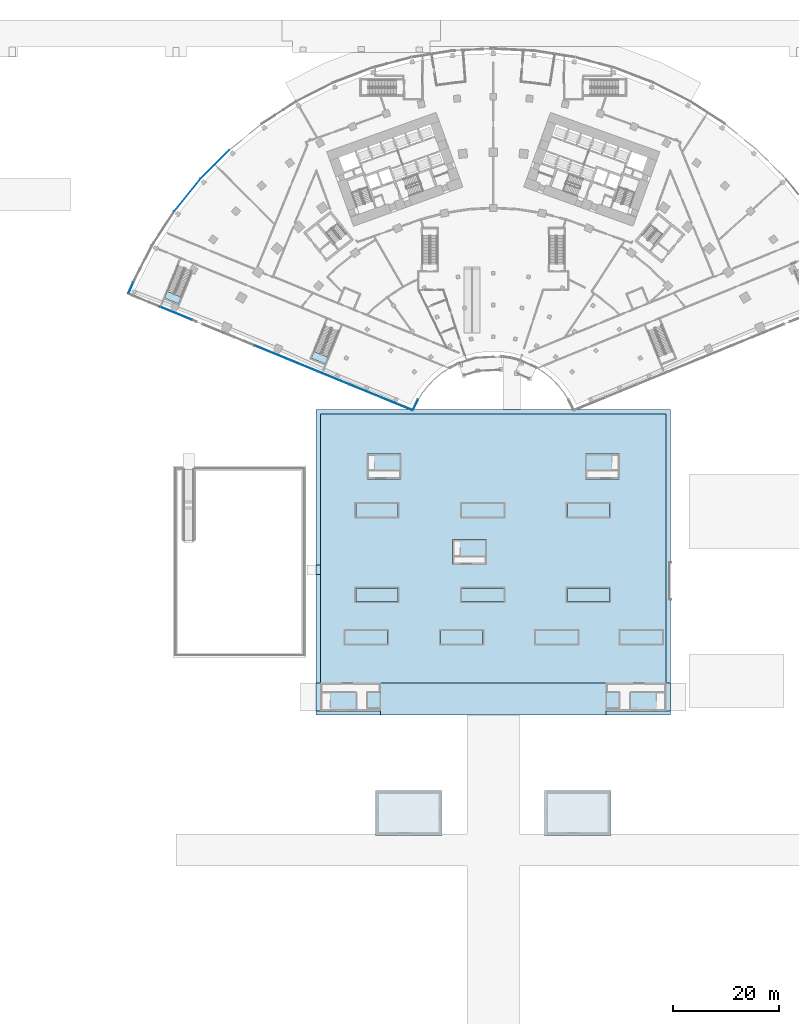
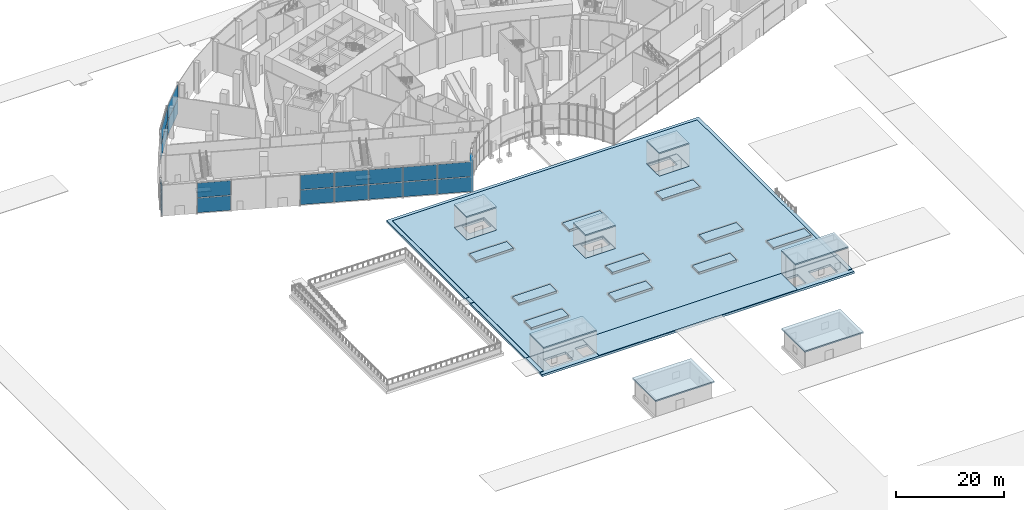
# One storey, part 19 of 60: 25 slabs, 20 plates, 5 elements without a shape of their own.
"""IFC4 building model written with IfcOpenShell, lengths in metres."""

from ifc_helpers import new_model, si_unit, direction, frame, origin, origin_2d, place, context, subcontext, project, spatial, polyline, rectangle, outline, extrude, material, layer, layer_set, type_object, element, aggregate, save


model = new_model("IFC4")

# Units and contexts
model_context = context("Model", 3, precision=1e-05, world=origin(), true_north=direction((0.0, 1.0)))
body_context = subcontext(model_context, "Body", "Model", "MODEL_VIEW")
ifc_project = project(units=[si_unit("LENGTHUNIT", "METRE"), si_unit("AREAUNIT", "SQUARE_METRE"), si_unit("VOLUMEUNIT", "CUBIC_METRE"), si_unit("PLANEANGLEUNIT", "RADIAN"), si_unit("MASSUNIT", "GRAM", prefix="KILO")], contexts=[model_context])

# Site, building, storey
site_placement = place(None, origin())
site = spatial("IfcSite", under=ifc_project, at=site_placement, CompositionType="ELEMENT")
building_placement = place(site_placement, origin())
building = spatial("IfcBuilding", under=site, at=building_placement, Name="Stone Belt Terrace Tower", CompositionType="ELEMENT")
storey_placement = place(building_placement, origin())
storey = spatial("IfcBuildingStorey", under=building, at=storey_placement, Name="L00", CompositionType="ELEMENT", Elevation=0.0)

# Curtain wall, plates
ifc_material_1 = material(Name="Aluminium 6063-T6 anodised frame", Category="aluminium")
ifc_layer_1 = layer(ifc_material_1, 0.14990234375)
ifc_layer_set_1 = layer_set([ifc_layer_1], Name="CW-D podium shopfront")
curtain_wall_type = type_object("IfcCurtainWallType", Name="CW-D podium shopfront", PredefinedType="NOTDEFINED", material=ifc_layer_set_1)
curtain_wall_1_placement = place(storey_placement, origin())
curtain_wall_1 = element("IfcCurtainWall", 1, at=curtain_wall_1_placement, inside=storey, type_object=curtain_wall_type, Name="CW-D concave face L00", PredefinedType="NOTDEFINED")
ifc_material_2 = material(Name="Clear double glazed unit")
ifc_layer_2 = layer(ifc_material_2, 0.031982421875)
ifc_layer_set_2 = layer_set([ifc_layer_2], Name="CW-D glass panel 32")
plate_type = type_object("IfcPlateType", Name="CW-D glass panel 32", PredefinedType="CURTAIN_PANEL", material=ifc_layer_set_2)
plate_1_placement = place(storey_placement, frame((-14.718994140625, 7.20458984375, 0.139892578125), z_axis=(0.0, 0.0, 1.0), x_axis=(0.440619322366, 0.897694052981, 0.0)))
plate_1 = element("IfcPlate", 2, at=plate_1_placement, type_object=plate_type, Name="CW-D panel 1.1", PredefinedType="CURTAIN_PANEL", context=body_context, shape_type="SweptSolid", body=[
    extrude(rectangle(XDim=2.177734375, YDim=0.031982421875, at=origin_2d()), origin(), (0.0, 0.0, 1.0), 3.2900390625),
])
plate_2_placement = place(storey_placement, frame((-14.718994140625, 7.20458984375, 3.570068359375), z_axis=(0.0, 0.0, 1.0), x_axis=(0.440619322366, 0.897694052981, 0.0)))
plate_2 = element("IfcPlate", 3, at=plate_2_placement, type_object=plate_type, Name="CW-D panel 1.2", PredefinedType="CURTAIN_PANEL", context=body_context, shape_type="SweptSolid", body=[
    extrude(rectangle(XDim=2.177734375, YDim=0.031982421875, at=origin_2d()), origin(), (0.0, 0.0, 1.0), 3.2900390625),
])
aggregate(curtain_wall_1, [plate_1, plate_2])

curtain_wall_2_placement = place(storey_placement, origin())
curtain_wall_2 = element("IfcCurtainWall", 4, at=curtain_wall_2_placement, inside=storey, type_object=curtain_wall_type, Name="CW-D convex face L00", PredefinedType="NOTDEFINED")
plate_3_placement = place(storey_placement, frame((-52.660400390625, 52.660400390625, 0.139892578125), z_axis=(0.0, 0.0, 1.0), x_axis=(-0.707106781187, -0.707106781187, 0.0)))
plate_3 = element("IfcPlate", 5, at=plate_3_placement, type_object=plate_type, Name="CW-D panel 20.1", PredefinedType="CURTAIN_PANEL", context=body_context, shape_type="SweptSolid", body=[
    extrude(rectangle(XDim=7.738037109375, YDim=0.031982421875, at=origin_2d()), origin(), (0.0, 0.0, 1.0), 3.2900390625),
])
plate_4_placement = place(storey_placement, frame((-52.660400390625, 52.660400390625, 3.570068359375), z_axis=(0.0, 0.0, 1.0), x_axis=(-0.707106781187, -0.707106781187, 0.0)))
plate_4 = element("IfcPlate", 6, at=plate_4_placement, type_object=plate_type, Name="CW-D panel 20.2", PredefinedType="CURTAIN_PANEL", context=body_context, shape_type="SweptSolid", body=[
    extrude(rectangle(XDim=7.738037109375, YDim=0.031982421875, at=origin_2d()), origin(), (0.0, 0.0, 1.0), 3.2900390625),
])
plate_5_placement = place(storey_placement, frame((-57.876220703125, 46.867431640625, 0.139892578125), z_axis=(0.0, 0.0, 1.0), x_axis=(-0.62932039105, -0.777145961457, 0.0)))
plate_5 = element("IfcPlate", 7, at=plate_5_placement, type_object=plate_type, Name="CW-D panel 21.1", PredefinedType="CURTAIN_PANEL", context=body_context, shape_type="SweptSolid", body=[
    extrude(rectangle(XDim=7.738037109375, YDim=0.031982421875, at=origin_2d()), origin(), (0.0, 0.0, 1.0), 3.2900390625),
])
plate_6_placement = place(storey_placement, frame((-57.876220703125, 46.867431640625, 3.570068359375), z_axis=(0.0, 0.0, 1.0), x_axis=(-0.62932039105, -0.777145961457, 0.0)))
plate_6 = element("IfcPlate", 8, at=plate_6_placement, type_object=plate_type, Name="CW-D panel 21.2", PredefinedType="CURTAIN_PANEL", context=body_context, shape_type="SweptSolid", body=[
    extrude(rectangle(XDim=7.738037109375, YDim=0.031982421875, at=origin_2d()), origin(), (0.0, 0.0, 1.0), 3.2900390625),
])
plate_7_placement = place(storey_placement, frame((-68.572021484375, 29.292724609375, 0.139892578125), z_axis=(0.0, 0.0, 1.0), x_axis=(-0.393033792222, -0.919524028056, 0.0)))
plate_7 = element("IfcPlate", 9, at=plate_7_placement, type_object=plate_type, Name="CW-D panel 24.1", PredefinedType="CURTAIN_PANEL", context=body_context, shape_type="SweptSolid", body=[
    extrude(rectangle(XDim=2.19921875, YDim=0.031982421875, at=origin_2d()), origin(), (0.0, 0.0, 1.0), 3.2900390625),
])
plate_8_placement = place(storey_placement, frame((-68.572021484375, 29.292724609375, 3.570068359375), z_axis=(0.0, 0.0, 1.0), x_axis=(-0.393033792222, -0.919524028056, 0.0)))
plate_8 = element("IfcPlate", 10, at=plate_8_placement, type_object=plate_type, Name="CW-D panel 24.2", PredefinedType="CURTAIN_PANEL", context=body_context, shape_type="SweptSolid", body=[
    extrude(rectangle(XDim=2.19921875, YDim=0.031982421875, at=origin_2d()), origin(), (0.0, 0.0, 1.0), 3.2900390625),
])
aggregate(curtain_wall_2, [plate_3, plate_4, plate_5, plate_6, plate_7, plate_8])

curtain_wall_3_placement = place(storey_placement, origin())
curtain_wall_3 = element("IfcCurtainWall", 11, at=curtain_wall_3_placement, inside=storey, type_object=curtain_wall_type, Name="CW-D end face L00", PredefinedType="NOTDEFINED")
plate_9_placement = place(storey_placement, frame((-60.0185546875, 24.518310546875, 0.139892578125), z_axis=(0.0, 0.0, 1.0), x_axis=(0.925297074342, -0.379243093825, 0.0)))
plate_9 = element("IfcPlate", 12, at=plate_9_placement, type_object=plate_type, Name="CW-D panel 2.1", PredefinedType="CURTAIN_PANEL", context=body_context, shape_type="SweptSolid", body=[
    extrude(rectangle(XDim=6.384521484375, YDim=0.031982421875, at=origin_2d()), origin(), (0.0, 0.0, 1.0), 3.2900390625),
])
plate_10_placement = place(storey_placement, frame((-60.0185546875, 24.518310546875, 3.570068359375), z_axis=(0.0, 0.0, 1.0), x_axis=(0.925297074342, -0.379243093825, 0.0)))
plate_10 = element("IfcPlate", 13, at=plate_10_placement, type_object=plate_type, Name="CW-D panel 2.2", PredefinedType="CURTAIN_PANEL", context=body_context, shape_type="SweptSolid", body=[
    extrude(rectangle(XDim=6.384521484375, YDim=0.031982421875, at=origin_2d()), origin(), (0.0, 0.0, 1.0), 3.2900390625),
])
plate_11_placement = place(storey_placement, frame((-42.12939453125, 17.186279296875, 0.139892578125), z_axis=(0.0, 0.0, 1.0), x_axis=(0.925297074342, -0.379243093825, 0.0)))
plate_11 = element("IfcPlate", 14, at=plate_11_placement, type_object=plate_type, Name="CW-D panel 5.1", PredefinedType="CURTAIN_PANEL", context=body_context, shape_type="SweptSolid", body=[
    extrude(rectangle(XDim=6.384521484375, YDim=0.031982421875, at=origin_2d()), origin(), (0.0, 0.0, 1.0), 3.2900390625),
])
plate_12_placement = place(storey_placement, frame((-42.12939453125, 17.186279296875, 3.570068359375), z_axis=(0.0, 0.0, 1.0), x_axis=(0.925297074342, -0.379243093825, 0.0)))
plate_12 = element("IfcPlate", 15, at=plate_12_placement, type_object=plate_type, Name="CW-D panel 5.2", PredefinedType="CURTAIN_PANEL", context=body_context, shape_type="SweptSolid", body=[
    extrude(rectangle(XDim=6.384521484375, YDim=0.031982421875, at=origin_2d()), origin(), (0.0, 0.0, 1.0), 3.2900390625),
])
plate_13_placement = place(storey_placement, frame((-36.16650390625, 14.7421875, 0.139892578125), z_axis=(0.0, 0.0, 1.0), x_axis=(0.925297074342, -0.379243093825, 0.0)))
plate_13 = element("IfcPlate", 16, at=plate_13_placement, type_object=plate_type, Name="CW-D panel 6.1", PredefinedType="CURTAIN_PANEL", context=body_context, shape_type="SweptSolid", body=[
    extrude(rectangle(XDim=6.384521484375, YDim=0.031982421875, at=origin_2d()), origin(), (0.0, 0.0, 1.0), 3.2900390625),
])
plate_14_placement = place(storey_placement, frame((-36.16650390625, 14.7421875, 3.570068359375), z_axis=(0.0, 0.0, 1.0), x_axis=(0.925297074342, -0.379243093825, 0.0)))
plate_14 = element("IfcPlate", 17, at=plate_14_placement, type_object=plate_type, Name="CW-D panel 6.2", PredefinedType="CURTAIN_PANEL", context=body_context, shape_type="SweptSolid", body=[
    extrude(rectangle(XDim=6.384521484375, YDim=0.031982421875, at=origin_2d()), origin(), (0.0, 0.0, 1.0), 3.2900390625),
])
plate_15_placement = place(storey_placement, frame((-30.203369140625, 12.298095703125, 0.139892578125), z_axis=(0.0, 0.0, 1.0), x_axis=(0.925297074342, -0.379243093825, 0.0)))
plate_15 = element("IfcPlate", 18, at=plate_15_placement, type_object=plate_type, Name="CW-D panel 7.1", PredefinedType="CURTAIN_PANEL", context=body_context, shape_type="SweptSolid", body=[
    extrude(rectangle(XDim=6.384521484375, YDim=0.031982421875, at=origin_2d()), origin(), (0.0, 0.0, 1.0), 3.2900390625),
])
plate_16_placement = place(storey_placement, frame((-30.203369140625, 12.298095703125, 3.570068359375), z_axis=(0.0, 0.0, 1.0), x_axis=(0.925297074342, -0.379243093825, 0.0)))
plate_16 = element("IfcPlate", 19, at=plate_16_placement, type_object=plate_type, Name="CW-D panel 7.2", PredefinedType="CURTAIN_PANEL", context=body_context, shape_type="SweptSolid", body=[
    extrude(rectangle(XDim=6.384521484375, YDim=0.031982421875, at=origin_2d()), origin(), (0.0, 0.0, 1.0), 3.2900390625),
])
plate_17_placement = place(storey_placement, frame((-24.240478515625, 9.854248046875, 0.139892578125), z_axis=(0.0, 0.0, 1.0), x_axis=(0.925297074342, -0.379243093825, 0.0)))
plate_17 = element("IfcPlate", 20, at=plate_17_placement, type_object=plate_type, Name="CW-D panel 8.1", PredefinedType="CURTAIN_PANEL", context=body_context, shape_type="SweptSolid", body=[
    extrude(rectangle(XDim=6.384521484375, YDim=0.031982421875, at=origin_2d()), origin(), (0.0, 0.0, 1.0), 3.2900390625),
])
plate_18_placement = place(storey_placement, frame((-24.240478515625, 9.854248046875, 3.570068359375), z_axis=(0.0, 0.0, 1.0), x_axis=(0.925297074342, -0.379243093825, 0.0)))
plate_18 = element("IfcPlate", 21, at=plate_18_placement, type_object=plate_type, Name="CW-D panel 8.2", PredefinedType="CURTAIN_PANEL", context=body_context, shape_type="SweptSolid", body=[
    extrude(rectangle(XDim=6.384521484375, YDim=0.031982421875, at=origin_2d()), origin(), (0.0, 0.0, 1.0), 3.2900390625),
])
plate_19_placement = place(storey_placement, frame((-18.264892578125, 7.405029296875, 0.139892578125), z_axis=(0.0, 0.0, 1.0), x_axis=(0.925297074342, -0.379243093825, 0.0)))
plate_19 = element("IfcPlate", 22, at=plate_19_placement, type_object=plate_type, Name="CW-D panel 9.1", PredefinedType="CURTAIN_PANEL", context=body_context, shape_type="SweptSolid", body=[
    extrude(rectangle(XDim=6.411376953125, YDim=0.031982421875, at=origin_2d()), origin(), (0.0, 0.0, 1.0), 3.2900390625),
])
plate_20_placement = place(storey_placement, frame((-18.264892578125, 7.405029296875, 3.570068359375), z_axis=(0.0, 0.0, 1.0), x_axis=(0.925297074342, -0.379243093825, 0.0)))
plate_20 = element("IfcPlate", 23, at=plate_20_placement, type_object=plate_type, Name="CW-D panel 9.2", PredefinedType="CURTAIN_PANEL", context=body_context, shape_type="SweptSolid", body=[
    extrude(rectangle(XDim=6.411376953125, YDim=0.031982421875, at=origin_2d()), origin(), (0.0, 0.0, 1.0), 3.2900390625),
])
aggregate(curtain_wall_3, [plate_9, plate_10, plate_11, plate_12, plate_13, plate_14, plate_15, plate_16, plate_17, plate_18, plate_19, plate_20])

# Slabs
ifc_material_3 = material(Name="Concrete B40", Category="concrete")
ifc_layer_3 = layer(ifc_material_3, 0.300048828125)
ifc_layer_set_3 = layer_set([ifc_layer_3], Name="Car park head house roof 300")
slab_type_1 = type_object("IfcSlabType", Name="Car park head house roof 300", PredefinedType="ROOF", material=ifc_layer_set_3)
slab_1_placement = place(storey_placement, frame((0.0, 0.0, 5.0)))
element("IfcSlab", 24, at=slab_1_placement, inside=storey, type_object=slab_type_1, Name="Car park stair 3 house roof", PredefinedType="ROOF", context=body_context, shape_type="SweptSolid", body=[
    extrude(outline(polyline([(-23.89990234375, -6.800048828125), (-17.43994140625, -6.800048828125), (-17.43994140625, -2.10009765625), (-23.89990234375, -2.10009765625), (-23.89990234375, -6.800048828125)])), origin(), (0.0, 0.0, 1.0), 0.300048828125),
])
slab_2_placement = place(storey_placement, frame((0.0, 0.0, 5.0)))
element("IfcSlab", 25, at=slab_2_placement, inside=storey, type_object=slab_type_1, Name="Car park stair 4 house roof", PredefinedType="ROOF", context=body_context, shape_type="SweptSolid", body=[
    extrude(outline(polyline([(17.43994140625, -6.800048828125), (23.89990234375, -6.800048828125), (23.89990234375, -2.10009765625), (17.43994140625, -2.10009765625), (17.43994140625, -6.800048828125)])), origin(), (0.0, 0.0, 1.0), 0.300048828125),
])
slab_3_placement = place(storey_placement, frame((0.0, 0.0, 5.0)))
element("IfcSlab", 26, at=slab_3_placement, inside=storey, type_object=slab_type_1, Name="Car park stair 5 house roof", PredefinedType="ROOF", context=body_context, shape_type="SweptSolid", body=[
    extrude(outline(polyline([(-7.699951171875, -23.0), (-1.239990234375, -23.0), (-1.239990234375, -18.300048828125), (-7.699951171875, -18.300048828125), (-7.699951171875, -23.0)])), origin(), (0.0, 0.0, 1.0), 0.300048828125),
])
slab_4_placement = place(storey_placement, frame((0.0, 0.0, 5.0)))
element("IfcSlab", 27, at=slab_4_placement, inside=storey, type_object=slab_type_1, Name="Car park stair and lift house 1 roof", PredefinedType="ROOF", context=body_context, shape_type="SweptSolid", body=[
    extrude(outline(polyline([(-32.699951171875, -50.699951171875), (-21.300048828125, -50.699951171875), (-21.300048828125, -45.39990234375), (-32.699951171875, -45.39990234375), (-32.699951171875, -50.699951171875)])), origin(), (0.0, 0.0, 1.0), 0.300048828125),
])
slab_5_placement = place(storey_placement, frame((0.0, 0.0, 5.0)))
element("IfcSlab", 28, at=slab_5_placement, inside=storey, type_object=slab_type_1, Name="Car park stair and lift house 2 roof", PredefinedType="ROOF", context=body_context, shape_type="SweptSolid", body=[
    extrude(outline(polyline([(21.300048828125, -50.699951171875), (32.699951171875, -50.699951171875), (32.699951171875, -45.39990234375), (21.300048828125, -45.39990234375), (21.300048828125, -50.699951171875)])), origin(), (0.0, 0.0, 1.0), 0.300048828125),
])
ifc_layer_4 = layer(ifc_material_3, 0.5)
ifc_layer_set_4 = layer_set([ifc_layer_4], Name="Garden deck slab 500")
slab_type_2 = type_object("IfcSlabType", Name="Garden deck slab 500", PredefinedType="FLOOR", material=ifc_layer_set_4)
slab_6_placement = place(storey_placement, frame((0.0, 0.0, -0.60009765625)))
element("IfcSlab", 29, at=slab_6_placement, inside=storey, type_object=slab_type_2, Name="Garden deck over the car park", PredefinedType="FLOOR", context=body_context, shape_type="SweptSolid", body=[
    extrude(outline(polyline([(-33.5, -51.5), (33.5, -51.5), (33.5, 6.300048828125), (-33.5, 6.300048828125), (-33.5, -51.5)]), holes=[polyline([(-30.7470703125, -47.302978515625), (-30.7470703125, -50.096923828125), (-26.04296875, -50.096923828125), (-26.04296875, -47.302978515625), (-30.7470703125, -47.302978515625)]), polyline([(-23.89990234375, -47.10009765625), (-23.89990234375, -50.199951171875), (-21.300048828125, -50.199951171875), (-21.300048828125, -47.10009765625), (-23.89990234375, -47.10009765625)]), polyline([(26.04296875, -47.302978515625), (26.04296875, -50.096923828125), (30.7470703125, -50.096923828125), (30.7470703125, -47.302978515625), (26.04296875, -47.302978515625)]), polyline([(23.89990234375, -50.199951171875), (23.89990234375, -47.10009765625), (21.300048828125, -47.10009765625), (21.300048828125, -50.199951171875), (23.89990234375, -50.199951171875)]), polyline([(-22.346923828125, -2.302978515625), (-22.346923828125, -5.096923828125), (-17.64306640625, -5.096923828125), (-17.64306640625, -2.302978515625), (-22.346923828125, -2.302978515625)]), polyline([(17.64306640625, -5.096923828125), (22.346923828125, -5.096923828125), (22.346923828125, -2.302978515625), (17.64306640625, -2.302978515625), (17.64306640625, -5.096923828125)]), polyline([(-1.443115234375, -21.297119140625), (-1.443115234375, -18.5029296875), (-6.14697265625, -18.5029296875), (-6.14697265625, -21.297119140625), (-1.443115234375, -21.297119140625)])]), origin(), (0.0, 0.0, 1.0), 0.5),
])
ifc_material_4 = material(Name="Planting soil")
ifc_layer_5 = layer(ifc_material_4, 0.449951171875)
ifc_layer_set_5 = layer_set([ifc_layer_5], Name="PLANTER bed 450")
slab_type_3 = type_object("IfcSlabType", Name="PLANTER bed 450", PredefinedType="FLOOR", material=ifc_layer_set_5)
slab_7_placement = place(storey_placement, origin())
element("IfcSlab", 30, at=slab_7_placement, inside=storey, type_object=slab_type_3, Name="PLANTER 1", PredefinedType="FLOOR", context=body_context, shape_type="SweptSolid", body=[
    extrude(outline(polyline([(-26.0, -30.0), (-18.0, -30.0), (-18.0, -27.5), (-26.0, -27.5), (-26.0, -30.0)])), origin(), (0.0, 0.0, 1.0), 0.449951171875),
])
slab_8_placement = place(storey_placement, origin())
element("IfcSlab", 31, at=slab_8_placement, inside=storey, type_object=slab_type_3, Name="PLANTER 2", PredefinedType="FLOOR", context=body_context, shape_type="SweptSolid", body=[
    extrude(outline(polyline([(-26.0, -14.0), (-18.0, -14.0), (-18.0, -11.5), (-26.0, -11.5), (-26.0, -14.0)])), origin(), (0.0, 0.0, 1.0), 0.449951171875),
])
slab_9_placement = place(storey_placement, origin())
element("IfcSlab", 32, at=slab_9_placement, inside=storey, type_object=slab_type_3, Name="PLANTER 3", PredefinedType="FLOOR", context=body_context, shape_type="SweptSolid", body=[
    extrude(outline(polyline([(-6.0, -30.0), (2.0, -30.0), (2.0, -27.5), (-6.0, -27.5), (-6.0, -30.0)])), origin(), (0.0, 0.0, 1.0), 0.449951171875),
])
slab_10_placement = place(storey_placement, origin())
element("IfcSlab", 33, at=slab_10_placement, inside=storey, type_object=slab_type_3, Name="PLANTER 4", PredefinedType="FLOOR", context=body_context, shape_type="SweptSolid", body=[
    extrude(outline(polyline([(-6.0, -14.0), (2.0, -14.0), (2.0, -11.5), (-6.0, -11.5), (-6.0, -14.0)])), origin(), (0.0, 0.0, 1.0), 0.449951171875),
])
slab_11_placement = place(storey_placement, origin())
element("IfcSlab", 34, at=slab_11_placement, inside=storey, type_object=slab_type_3, Name="PLANTER 5", PredefinedType="FLOOR", context=body_context, shape_type="SweptSolid", body=[
    extrude(outline(polyline([(14.0, -30.0), (22.0, -30.0), (22.0, -27.5), (14.0, -27.5), (14.0, -30.0)])), origin(), (0.0, 0.0, 1.0), 0.449951171875),
])
slab_12_placement = place(storey_placement, origin())
element("IfcSlab", 35, at=slab_12_placement, inside=storey, type_object=slab_type_3, Name="PLANTER 6", PredefinedType="FLOOR", context=body_context, shape_type="SweptSolid", body=[
    extrude(outline(polyline([(14.0, -14.0), (22.0, -14.0), (22.0, -11.5), (14.0, -11.5), (14.0, -14.0)])), origin(), (0.0, 0.0, 1.0), 0.449951171875),
])
slab_13_placement = place(storey_placement, origin())
element("IfcSlab", 36, at=slab_13_placement, inside=storey, type_object=slab_type_3, Name="PLANTER 7", PredefinedType="FLOOR", context=body_context, shape_type="SweptSolid", body=[
    extrude(outline(polyline([(-28.0, -38.0), (-20.0, -38.0), (-20.0, -35.5), (-28.0, -35.5), (-28.0, -38.0)])), origin(), (0.0, 0.0, 1.0), 0.449951171875),
])
slab_14_placement = place(storey_placement, origin())
element("IfcSlab", 37, at=slab_14_placement, inside=storey, type_object=slab_type_3, Name="PLANTER 8", PredefinedType="FLOOR", context=body_context, shape_type="SweptSolid", body=[
    extrude(outline(polyline([(-10.0, -38.0), (-2.0, -38.0), (-2.0, -35.5), (-10.0, -35.5), (-10.0, -38.0)])), origin(), (0.0, 0.0, 1.0), 0.449951171875),
])
slab_15_placement = place(storey_placement, origin())
element("IfcSlab", 38, at=slab_15_placement, inside=storey, type_object=slab_type_3, Name="PLANTER 9", PredefinedType="FLOOR", context=body_context, shape_type="SweptSolid", body=[
    extrude(outline(polyline([(8.0, -38.0), (16.0, -38.0), (16.0, -35.5), (8.0, -35.5), (8.0, -38.0)])), origin(), (0.0, 0.0, 1.0), 0.449951171875),
])
slab_16_placement = place(storey_placement, origin())
element("IfcSlab", 39, at=slab_16_placement, inside=storey, type_object=slab_type_3, Name="PLANTER 10", PredefinedType="FLOOR", context=body_context, shape_type="SweptSolid", body=[
    extrude(outline(polyline([(24.0, -38.0), (32.0, -38.0), (32.0, -35.5), (24.0, -35.5), (24.0, -38.0)])), origin(), (0.0, 0.0, 1.0), 0.449951171875),
])
ifc_layer_6 = layer(ifc_material_3, 0.300048828125)
ifc_layer_set_6 = layer_set([ifc_layer_6], Name="Pavilion roof 300")
slab_type_4 = type_object("IfcSlabType", Name="Pavilion roof 300", PredefinedType="ROOF", material=ifc_layer_set_6)
slab_17_placement = place(storey_placement, frame((0.0, 0.0, 3.60009765625)))
element("IfcSlab", 40, at=slab_17_placement, inside=storey, type_object=slab_type_4, Name="Garden pavilion A roof", PredefinedType="ROOF", context=body_context, shape_type="SweptSolid", body=[
    extrude(outline(polyline([(-22.300048828125, -74.300048828125), (-9.699951171875, -74.300048828125), (-9.699951171875, -65.699951171875), (-22.300048828125, -65.699951171875), (-22.300048828125, -74.300048828125)])), origin(), (0.0, 0.0, 1.0), 0.2998046875),
])
slab_18_placement = place(storey_placement, frame((0.0, 0.0, 3.60009765625)))
element("IfcSlab", 41, at=slab_18_placement, inside=storey, type_object=slab_type_4, Name="Garden pavilion B roof", PredefinedType="ROOF", context=body_context, shape_type="SweptSolid", body=[
    extrude(outline(polyline([(9.699951171875, -74.300048828125), (22.300048828125, -74.300048828125), (22.300048828125, -65.699951171875), (9.699951171875, -65.699951171875), (9.699951171875, -74.300048828125)])), origin(), (0.0, 0.0, 1.0), 0.2998046875),
])
ifc_material_5 = material(Name="Granite paving", Category="masonry")
ifc_layer_7 = layer(ifc_material_5, 0.10009765625)
ifc_layer_set_7 = layer_set([ifc_layer_7], Name="Paving 100")
slab_type_5 = type_object("IfcSlabType", Name="Paving 100", PredefinedType="FLOOR", material=ifc_layer_set_7)
slab_19_placement = place(storey_placement, frame((0.0, 0.0, -0.10009765625)))
element("IfcSlab", 42, at=slab_19_placement, inside=storey, type_object=slab_type_5, Name="Garden plaza paving", PredefinedType="FLOOR", context=body_context, shape_type="SweptSolid", body=[
    extrude(outline(polyline([(-32.699951171875, -45.39990234375), (32.699951171875, -45.39990234375), (32.699951171875, 5.5), (-32.699951171875, 5.5), (-32.699951171875, -45.39990234375)]), holes=[polyline([(-17.43994140625, -6.800048828125), (-17.43994140625, -2.10009765625), (-23.89990234375, -2.10009765625), (-23.89990234375, -6.800048828125), (-17.43994140625, -6.800048828125)]), polyline([(17.43994140625, -6.800048828125), (23.89990234375, -6.800048828125), (23.89990234375, -2.10009765625), (17.43994140625, -2.10009765625), (17.43994140625, -6.800048828125)]), polyline([(-7.699951171875, -18.300048828125), (-7.699951171875, -23.0), (-1.239990234375, -23.0), (-1.239990234375, -18.300048828125), (-7.699951171875, -18.300048828125)])]), origin(), (0.0, 0.0, 1.0), 0.10009765625),
])
slab_20_placement = place(storey_placement, frame((0.0, 0.0, -0.10009765625)))
element("IfcSlab", 43, at=slab_20_placement, inside=storey, type_object=slab_type_5, Name="Garden path paving", PredefinedType="FLOOR", context=body_context, shape_type="SweptSolid", body=[
    extrude(outline(polyline([(-21.300048828125, -51.5), (-5.0, -51.5), (5.0, -51.5), (21.300048828125, -51.5), (21.300048828125, -45.39990234375), (-21.300048828125, -45.39990234375), (-21.300048828125, -51.5)])), origin(), (0.0, 0.0, 1.0), 0.10009765625),
])
slab_21_placement = place(storey_placement, frame((0.0, 0.0, -0.10009765625)))
element("IfcSlab", 44, at=slab_21_placement, inside=storey, type_object=slab_type_5, Name="Garden path paving", PredefinedType="FLOOR", context=body_context, shape_type="SweptSolid", body=[
    extrude(outline(polyline([(-33.5, -50.699951171875), (-32.699951171875, -50.699951171875), (-32.699951171875, -45.39990234375), (-33.5, -45.39990234375), (-33.5, -50.699951171875)])), origin(), (0.0, 0.0, 1.0), 0.10009765625),
])
slab_22_placement = place(storey_placement, frame((0.0, 0.0, -0.10009765625)))
element("IfcSlab", 45, at=slab_22_placement, inside=storey, type_object=slab_type_5, Name="Garden path paving", PredefinedType="FLOOR", context=body_context, shape_type="SweptSolid", body=[
    extrude(outline(polyline([(32.699951171875, -50.699951171875), (33.5, -50.699951171875), (33.5, -45.39990234375), (32.699951171875, -45.39990234375), (32.699951171875, -50.699951171875)])), origin(), (0.0, 0.0, 1.0), 0.10009765625),
])
slab_23_placement = place(storey_placement, frame((0.0, 0.0, -0.10009765625)))
element("IfcSlab", 46, at=slab_23_placement, inside=storey, type_object=slab_type_5, Name="Garden path paving", PredefinedType="FLOOR", context=body_context, shape_type="SweptSolid", body=[
    extrude(outline(polyline([(-33.5, -24.89990234375), (-32.699951171875, -24.89990234375), (-32.699951171875, -23.10009765625), (-33.5, -23.10009765625), (-33.5, -24.89990234375)])), origin(), (0.0, 0.0, 1.0), 0.10009765625),
])

# Stair, slab
ifc_material_6 = material(Name="Concrete B30", Category="concrete")
stair_type = type_object("IfcStairType", Name="Podium stair concrete B30", PredefinedType="HALF_TURN_STAIR", material=ifc_material_6)
stair_1_placement = place(storey_placement, origin())
stair_1 = element("IfcStair", 47, at=stair_1_placement, inside=storey, type_object=stair_type, Name="L00 podium exit stair 1", PredefinedType="HALF_TURN_STAIR")
ifc_layer_8 = layer(ifc_material_6, 0.199951171875)
ifc_layer_set_8 = layer_set([ifc_layer_8], Name="Podium stair landing concrete B30")
slab_type_6 = type_object("IfcSlabType", Name="Podium stair landing concrete B30", PredefinedType="LANDING", material=ifc_layer_set_8)
slab_24_placement = place(storey_placement, frame((0.0, 0.0, 3.300048828125)))
slab_24 = element("IfcSlab", 48, at=slab_24_placement, type_object=slab_type_6, Name="PS1 landing 1", PredefinedType="LANDING", context=body_context, shape_type="SweptSolid", body=[
    extrude(outline(polyline([(-33.896240234375, 17.30029296875), (-34.4091796875, 16.04833984375), (-31.772216796875, 14.967529296875), (-31.259033203125, 16.219482421875), (-33.896240234375, 17.30029296875)])), origin(), (0.0, 0.0, 1.0), 0.199951171875),
])
aggregate(stair_1, [slab_24])

stair_2_placement = place(storey_placement, origin())
stair_2 = element("IfcStair", 49, at=stair_2_placement, inside=storey, type_object=stair_type, Name="L00 podium exit stair 2", PredefinedType="HALF_TURN_STAIR")
slab_25_placement = place(storey_placement, frame((0.0, 0.0, 3.300048828125)))
slab_25 = element("IfcSlab", 50, at=slab_25_placement, type_object=slab_type_6, Name="PS2 landing 1", PredefinedType="LANDING", context=body_context, shape_type="SweptSolid", body=[
    extrude(outline(polyline([(-61.655029296875, 28.677490234375), (-62.168212890625, 27.425537109375), (-59.531005859375, 26.3447265625), (-59.01806640625, 27.5966796875), (-61.655029296875, 28.677490234375)])), origin(), (0.0, 0.0, 1.0), 0.199951171875),
])
aggregate(stair_2, [slab_25])

save(model, "model.ifc")
